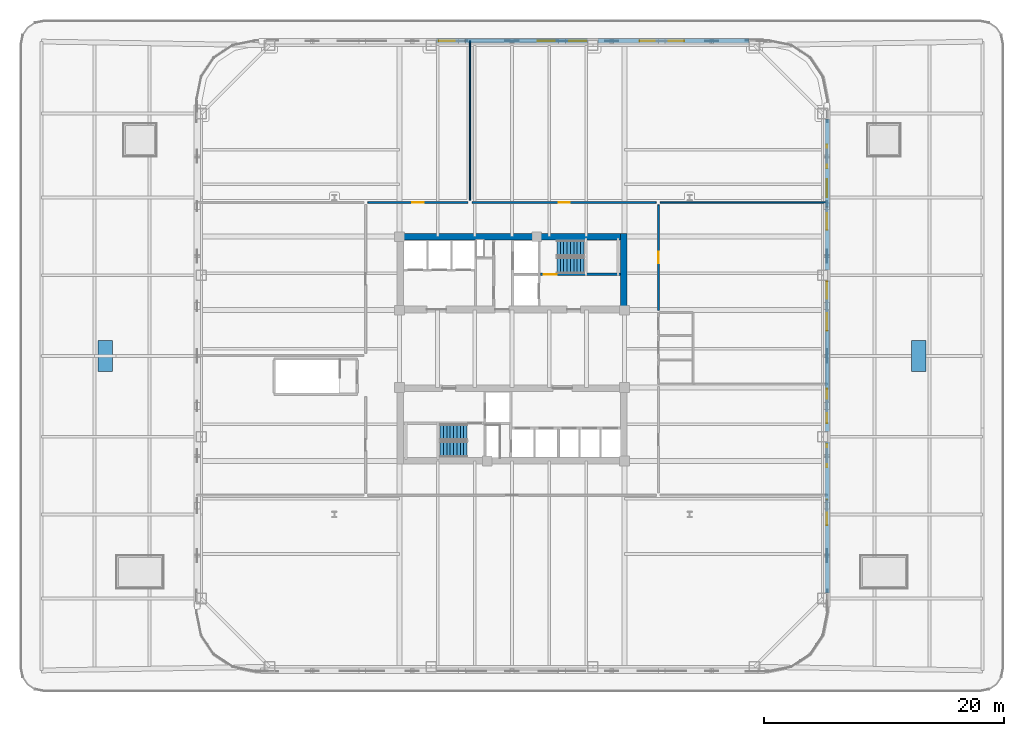
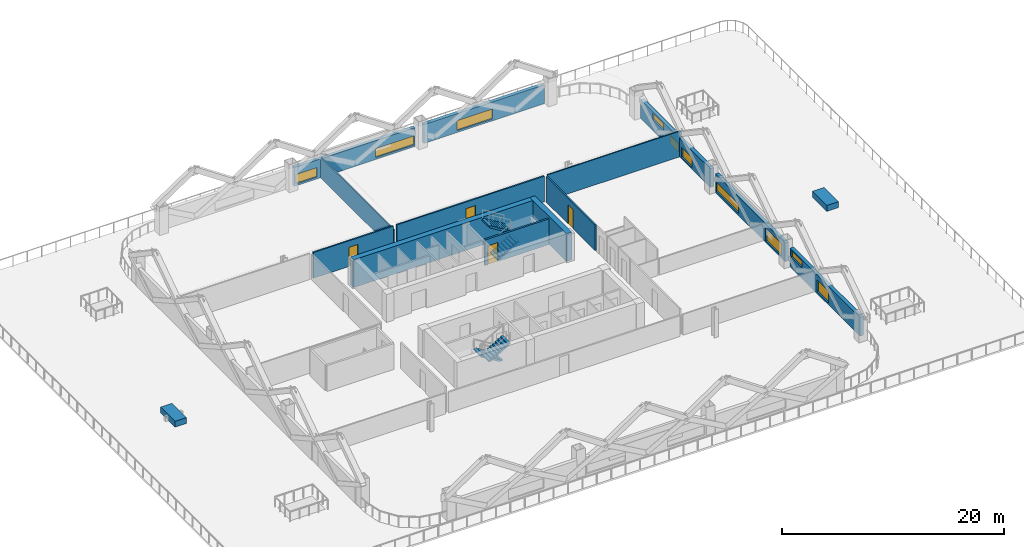
# One storey, part 9 of 17: 13 walls, 10 windows, 4 doors, 4 stair flights, 2 discrete accessories, 14 openings, 2 elements without a shape of their own.
"""IFC4 building model written with IfcOpenShell, lengths in metres."""

from ifc_helpers import new_model, si_unit, direction, frame, frame_2d, origin, origin_2d, place, context, subcontext, project, spatial, polyline, rectangle, outline, extrude, material, layer, layer_set, type_object, element, fill, aggregate, save


model = new_model("IFC4")

# Units and contexts
model_context = context("Model", 3, precision=1e-05, world=origin(), true_north=direction((0.0, 1.0)))
body_context = subcontext(model_context, "Body", "Model", "MODEL_VIEW")
ifc_project = project(units=[si_unit("LENGTHUNIT", "METRE"), si_unit("AREAUNIT", "SQUARE_METRE"), si_unit("VOLUMEUNIT", "CUBIC_METRE"), si_unit("PLANEANGLEUNIT", "RADIAN"), si_unit("MASSUNIT", "GRAM", prefix="KILO")], contexts=[model_context])

# Site, building, storey
site_placement = place(None, origin())
site = spatial("IfcSite", under=ifc_project, at=site_placement, CompositionType="ELEMENT")
building_placement = place(site_placement, origin())
building = spatial("IfcBuilding", under=site, at=building_placement, Name="Qhalaya Broadcast Tower", CompositionType="ELEMENT")
storey_placement = place(building_placement, frame((0.0, 0.0, 26.10009765625)))
storey = spatial("IfcBuildingStorey", under=building, at=storey_placement, Name="L06", CompositionType="ELEMENT", Elevation=26.10009765625)

# Wall, opening, door
ifc_material_1 = material(Name="Gypsum Acoustic Partition")
ifc_layer_1 = layer(ifc_material_1, 0.14990234375, Name="Gypsum Acoustic Partition")
ifc_layer_set_1 = layer_set([ifc_layer_1], Name="Gypsum Acoustic Partition")
wall_type_1 = type_object("IfcWallType", Name="Corridor & Tenancy Acoustic Partition 150", PredefinedType="PARTITIONING", material=ifc_layer_set_1)
wall_1_placement = place(storey_placement, frame((-12.02001953125, 12.800048828125, 0.0), z_axis=(0.0, 0.0, 1.0), x_axis=(1.0, 0.0, 0.0)))
wall_1 = element("IfcWall", 1, at=wall_1_placement, inside=storey, type_object=wall_type_1, Name="L06 Partition Wall W-COR-01", PredefinedType="PARTITIONING", context=body_context, shape_type="SweptSolid", body=[
    extrude(rectangle(XDim=8.340087890625, YDim=0.14990234375, at=frame_2d((4.169921875, 0.0))), origin(), (0.0, 0.0, 1.0), 2.829833984375),
])
opening_1_placement = place(wall_1_placement, frame((3.695068359375, 0.0, 0.0)))
opening_1 = element("IfcOpeningElement", 2, at=opening_1_placement, cuts=wall_1, Name="Opening D10", PredefinedType="OPENING", context=body_context, shape_type="SweptSolid", body=[
    extrude(rectangle(XDim=0.949951171875, YDim=2.10009765625, at=frame_2d((0.47509765625, 1.050048828125))), frame((0.0, 0.0869140625, 0.0), z_axis=(0.0, -1.0, 0.0), x_axis=(1.0, 0.0, 0.0)), (0.0, 0.0, 1.0), 0.173828125),
])
ifc_material_2 = material(Name="Timber Veneer Acoustic Door", Category="wood")
door_type_1 = type_object("IfcDoorType", Name="Cellular Office & Edit Booth Door D10", OperationType="NOTDEFINED", PredefinedType="DOOR", material=ifc_material_2)
door_1_placement = place(opening_1_placement, origin())
door_1 = element("IfcDoor", 3, at=door_1_placement, inside=storey, type_object=door_type_1, Name="L06 Door D-RM01", OperationType="SINGLE_SWING_RIGHT", OverallHeight=2.10009765625, OverallWidth=0.949951171875, PredefinedType="DOOR", context=body_context, shape_type="SweptSolid", body=[
    extrude(rectangle(XDim=0.949951171875, YDim=2.10009765625, at=frame_2d((0.47509765625, 1.050048828125))), frame((0.0, 0.02490234375, 0.0), z_axis=(0.0, -1.0, 0.0), x_axis=(1.0, 0.0, 0.0)), (0.0, 0.0, 1.0), 0.050048828125),
])
fill(opening_1, door_1)

wall_2_placement = place(storey_placement, frame((-3.320068359375, 12.800048828125, 0.0), z_axis=(0.0, 0.0, 1.0), x_axis=(1.0, 0.0, 0.0)))
wall_2 = element("IfcWall", 4, at=wall_2_placement, inside=storey, type_object=wall_type_1, Name="L06 Partition Wall W-COR-02", PredefinedType="PARTITIONING", context=body_context, shape_type="SweptSolid", body=[
    extrude(rectangle(XDim=15.340087890625, YDim=0.14990234375, at=frame_2d((7.669921875, 0.0))), origin(), (0.0, 0.0, 1.0), 2.829833984375),
])
opening_2_placement = place(wall_2_placement, frame((7.195068359375, 0.0, 0.0)))
opening_2 = element("IfcOpeningElement", 5, at=opening_2_placement, cuts=wall_2, Name="Opening D10", PredefinedType="OPENING", context=body_context, shape_type="SweptSolid", body=[
    extrude(rectangle(XDim=0.949951171875, YDim=2.10009765625, at=frame_2d((0.47509765625, 1.050048828125))), frame((0.0, 0.0869140625, 0.0), z_axis=(0.0, -1.0, 0.0), x_axis=(1.0, 0.0, 0.0)), (0.0, 0.0, 1.0), 0.173828125),
])
door_2_placement = place(opening_2_placement, origin())
door_2 = element("IfcDoor", 6, at=door_2_placement, inside=storey, type_object=door_type_1, Name="L06 Door D-RM02", OperationType="SINGLE_SWING_LEFT", OverallHeight=2.10009765625, OverallWidth=0.949951171875, PredefinedType="DOOR", context=body_context, shape_type="SweptSolid", body=[
    extrude(rectangle(XDim=0.949951171875, YDim=2.10009765625, at=frame_2d((0.47509765625, 1.050048828125))), frame((0.0, 0.02490234375, 0.0), z_axis=(0.0, -1.0, 0.0), x_axis=(1.0, 0.0, 0.0)), (0.0, 0.0, 1.0), 0.050048828125),
])
fill(opening_2, door_2)

wall_3_placement = place(storey_placement, frame((12.199951171875, 3.800048828125, 0.0), z_axis=(0.0, 0.0, 1.0), x_axis=(0.0, 1.0, 0.0)))
wall_3 = element("IfcWall", 7, at=wall_3_placement, inside=storey, type_object=wall_type_1, Name="L06 Partition Wall W-COR-07", PredefinedType="PARTITIONING", context=body_context, shape_type="SweptSolid", body=[
    extrude(rectangle(XDim=8.800048828125, YDim=0.14990234375, at=frame_2d((4.39990234375, 0.0))), origin(), (0.0, 0.0, 1.0), 2.829833984375),
])
opening_3_placement = place(wall_3_placement, frame((3.925048828125, 0.0, 0.0)))
opening_3 = element("IfcOpeningElement", 8, at=opening_3_placement, cuts=wall_3, Name="Opening D10", PredefinedType="OPENING", context=body_context, shape_type="SweptSolid", body=[
    extrude(rectangle(XDim=0.949951171875, YDim=2.10009765625, at=frame_2d((0.47509765625, 1.050048828125))), frame((0.0, 0.0869140625, 0.0), z_axis=(0.0, -1.0, 0.0), x_axis=(1.0, 0.0, 0.0)), (0.0, 0.0, 1.0), 0.173828125),
])
door_3_placement = place(opening_3_placement, origin())
door_3 = element("IfcDoor", 9, at=door_3_placement, inside=storey, type_object=door_type_1, Name="L06 Door D-RM07", OperationType="SINGLE_SWING_RIGHT", OverallHeight=2.10009765625, OverallWidth=0.949951171875, PredefinedType="DOOR", context=body_context, shape_type="SweptSolid", body=[
    extrude(rectangle(XDim=0.949951171875, YDim=2.10009765625, at=frame_2d((0.47509765625, 1.050048828125))), frame((0.0, 0.02490234375, 0.0), z_axis=(0.0, -1.0, 0.0), x_axis=(1.0, 0.0, 0.0)), (0.0, 0.0, 1.0), 0.050048828125),
])
fill(opening_3, door_3)

# Wall, openings, windows
ifc_material_3 = material(Name="Precast Concrete C40/50", Category="concrete")
ifc_layer_2 = layer(ifc_material_3, 0.360107421875, Name="Precast Concrete C40/50")
ifc_layer_set_2 = layer_set([ifc_layer_2], Name="Precast Concrete C40/50")
wall_type_2 = type_object("IfcWallType", Name="Insulated Precast Terracotta Exterior Wall 360", PredefinedType="SOLIDWALL", material=ifc_layer_set_2)
wall_4_placement = place(storey_placement, frame((26.260009765625, 19.761962890625, 0.0), z_axis=(0.0, 0.0, 1.0), x_axis=(0.0, -1.0, 0.0)))
wall_4 = element("IfcWall", 10, at=wall_4_placement, inside=storey, type_object=wall_type_2, Name="L06 Exoskeleton Diagrid Infill Wall E1", PredefinedType="SOLIDWALL", context=body_context, shape_type="SweptSolid", body=[
    extrude(rectangle(XDim=12.57861328125, YDim=0.360107421875, at=frame_2d((6.289306640625, 0.0))), origin(), (0.0, 0.0, 1.0), 2.06689453125),
])
opening_4_placement = place(wall_4_placement, frame((2.14990234375, 0.0, 1.199951171875)))
opening_4 = element("IfcOpeningElement", 11, at=opening_4_placement, cuts=wall_4, Name="Opening W11", PredefinedType="OPENING", context=body_context, shape_type="SweptSolid", body=[
    extrude(rectangle(XDim=1.949951171875, YDim=0.699951171875, at=frame_2d((0.97509765625, 0.35009765625))), frame((0.0, 0.192138671875, 0.0), z_axis=(0.0, -1.0, 0.0), x_axis=(1.0, 0.0, 0.0)), (0.0, 0.0, 1.0), 0.384033203125),
])
opening_5_placement = place(wall_4_placement, frame((5.050048828125, 0.0, 0.199951171875)))
opening_5 = element("IfcOpeningElement", 12, at=opening_5_placement, cuts=wall_4, Name="Opening W11", PredefinedType="OPENING", context=body_context, shape_type="SweptSolid", body=[
    extrude(rectangle(XDim=1.5, YDim=0.949951171875, at=frame_2d((0.75, 0.47509765625))), frame((0.0, 0.192138671875, 0.0), z_axis=(0.0, -1.0, 0.0), x_axis=(1.0, 0.0, 0.0)), (0.0, 0.0, 1.0), 0.384033203125),
])
opening_6_placement = place(wall_4_placement, frame((7.35009765625, 0.0, 0.199951171875)))
opening_6 = element("IfcOpeningElement", 13, at=opening_6_placement, cuts=wall_4, Name="Opening W11", PredefinedType="OPENING", context=body_context, shape_type="SweptSolid", body=[
    extrude(rectangle(XDim=1.89990234375, YDim=1.10009765625, at=frame_2d((0.949951171875, 0.550048828125))), frame((0.0, 0.192138671875, 0.0), z_axis=(0.0, -1.0, 0.0), x_axis=(1.0, 0.0, 0.0)), (0.0, 0.0, 1.0), 0.384033203125),
])
ifc_material_4 = material(Name="Solar-Control Low-E Triple Glazing", Category="glass")
window_type = type_object("IfcWindowType", Name="Odd-Block Diagrid Infill Window W11", PartitioningType="SINGLE_PANEL", PredefinedType="WINDOW", material=ifc_material_4)
window_1_placement = place(opening_4_placement, origin())
window_1 = element("IfcWindow", 14, at=window_1_placement, inside=storey, type_object=window_type, Name="L06 Diagrid Infill Window W11-E1", OverallHeight=0.699951171875, OverallWidth=1.949951171875, PartitioningType="SINGLE_PANEL", PredefinedType="WINDOW", context=body_context, shape_type="SweptSolid", body=[
    extrude(rectangle(XDim=1.949951171875, YDim=0.699951171875, at=frame_2d((0.97509765625, 0.35009765625))), frame((0.0, 0.030029296875, 0.0), z_axis=(0.0, -1.0, 0.0), x_axis=(1.0, 0.0, 0.0)), (0.0, 0.0, 1.0), 0.06005859375),
])
fill(opening_4, window_1)
window_2_placement = place(opening_5_placement, origin())
window_2 = element("IfcWindow", 15, at=window_2_placement, inside=storey, type_object=window_type, Name="L06 Diagrid Infill Window W11-E2", OverallHeight=0.949951171875, OverallWidth=1.5, PartitioningType="SINGLE_PANEL", PredefinedType="WINDOW", context=body_context, shape_type="SweptSolid", body=[
    extrude(rectangle(XDim=1.5, YDim=0.949951171875, at=frame_2d((0.75, 0.47509765625))), frame((0.0, 0.030029296875, 0.0), z_axis=(0.0, -1.0, 0.0), x_axis=(1.0, 0.0, 0.0)), (0.0, 0.0, 1.0), 0.06005859375),
])
fill(opening_5, window_2)
window_3_placement = place(opening_6_placement, origin())
window_3 = element("IfcWindow", 16, at=window_3_placement, inside=storey, type_object=window_type, Name="L06 Diagrid Infill Window W11-E3", OverallHeight=1.10009765625, OverallWidth=1.89990234375, PartitioningType="SINGLE_PANEL", PredefinedType="WINDOW", context=body_context, shape_type="SweptSolid", body=[
    extrude(rectangle(XDim=1.89990234375, YDim=1.10009765625, at=frame_2d((0.949951171875, 0.550048828125))), frame((0.0, 0.030029296875, 0.0), z_axis=(0.0, -1.0, 0.0), x_axis=(1.0, 0.0, 0.0)), (0.0, 0.0, 1.0), 0.06005859375),
])
fill(opening_6, window_3)

wall_5_placement = place(storey_placement, frame((26.260009765625, 6.283203125, 0.0), z_axis=(0.0, 0.0, 1.0), x_axis=(0.0, -1.0, 0.0)))
wall_5 = element("IfcWall", 17, at=wall_5_placement, inside=storey, type_object=wall_type_2, Name="L06 Exoskeleton Diagrid Infill Wall E2", PredefinedType="SOLIDWALL", context=body_context, shape_type="SweptSolid", body=[
    extrude(rectangle(XDim=12.56640625, YDim=0.360107421875, at=frame_2d((6.283203125, 0.0))), origin(), (0.0, 0.0, 1.0), 2.06689453125),
])
opening_7_placement = place(wall_5_placement, frame((0.071044921875, 0.0, 0.199951171875)))
opening_7 = element("IfcOpeningElement", 18, at=opening_7_placement, cuts=wall_5, Name="Opening W11", PredefinedType="OPENING", context=body_context, shape_type="SweptSolid", body=[
    extrude(rectangle(XDim=4.10009765625, YDim=1.050048828125, at=frame_2d((2.050048828125, 0.52490234375))), frame((0.0, 0.192138671875, 0.0), z_axis=(0.0, -1.0, 0.0), x_axis=(1.0, 0.0, 0.0)), (0.0, 0.0, 1.0), 0.384033203125),
])
opening_8_placement = place(wall_5_placement, frame((9.02099609375, 0.0, 0.199951171875)))
opening_8 = element("IfcOpeningElement", 19, at=opening_8_placement, cuts=wall_5, Name="Opening W11", PredefinedType="OPENING", context=body_context, shape_type="SweptSolid", body=[
    extrude(rectangle(XDim=2.85009765625, YDim=1.39990234375, at=frame_2d((1.425048828125, 0.699951171875))), frame((0.0, 0.192138671875, 0.0), z_axis=(0.0, -1.0, 0.0), x_axis=(1.0, 0.0, 0.0)), (0.0, 0.0, 1.0), 0.384033203125),
])
window_4_placement = place(opening_7_placement, origin())
window_4 = element("IfcWindow", 20, at=window_4_placement, inside=storey, type_object=window_type, Name="L06 Diagrid Infill Window W11-E4", OverallHeight=1.050048828125, OverallWidth=4.10009765625, PartitioningType="SINGLE_PANEL", PredefinedType="WINDOW", context=body_context, shape_type="SweptSolid", body=[
    extrude(rectangle(XDim=4.10009765625, YDim=1.050048828125, at=frame_2d((2.050048828125, 0.52490234375))), frame((0.0, 0.030029296875, 0.0), z_axis=(0.0, -1.0, 0.0), x_axis=(1.0, 0.0, 0.0)), (0.0, 0.0, 1.0), 0.06005859375),
])
fill(opening_7, window_4)
window_5_placement = place(opening_8_placement, origin())
window_5 = element("IfcWindow", 21, at=window_5_placement, inside=storey, type_object=window_type, Name="L06 Diagrid Infill Window W11-E5", OverallHeight=1.39990234375, OverallWidth=2.85009765625, PartitioningType="SINGLE_PANEL", PredefinedType="WINDOW", context=body_context, shape_type="SweptSolid", body=[
    extrude(rectangle(XDim=2.85009765625, YDim=1.39990234375, at=frame_2d((1.425048828125, 0.699951171875))), frame((0.0, 0.030029296875, 0.0), z_axis=(0.0, -1.0, 0.0), x_axis=(1.0, 0.0, 0.0)), (0.0, 0.0, 1.0), 0.06005859375),
])
fill(opening_8, window_5)

wall_6_placement = place(storey_placement, frame((26.260009765625, -7.183349609375, 0.0), z_axis=(0.0, 0.0, 1.0), x_axis=(0.0, -1.0, 0.0)))
wall_6 = element("IfcWall", 22, at=wall_6_placement, inside=storey, type_object=wall_type_2, Name="L06 Exoskeleton Diagrid Infill Wall E3", PredefinedType="SOLIDWALL", context=body_context, shape_type="SweptSolid", body=[
    extrude(rectangle(XDim=12.57861328125, YDim=0.360107421875, at=frame_2d((6.289306640625, 0.0))), origin(), (0.0, 0.0, 1.0), 2.06689453125),
])
opening_9_placement = place(wall_6_placement, frame((0.155029296875, 0.0, 1.199951171875)))
opening_9 = element("IfcOpeningElement", 23, at=opening_9_placement, cuts=wall_6, Name="Opening W11", PredefinedType="OPENING", context=body_context, shape_type="SweptSolid", body=[
    extrude(rectangle(XDim=1.949951171875, YDim=0.699951171875, at=frame_2d((0.97509765625, 0.35009765625))), frame((0.0, 0.192138671875, 0.0), z_axis=(0.0, -1.0, 0.0), x_axis=(1.0, 0.0, 0.0)), (0.0, 0.0, 1.0), 0.384033203125),
])
opening_10_placement = place(wall_6_placement, frame((4.804931640625, 0.0, 0.199951171875)))
opening_10 = element("IfcOpeningElement", 24, at=opening_10_placement, cuts=wall_6, Name="Opening W11", PredefinedType="OPENING", context=body_context, shape_type="SweptSolid", body=[
    extrude(rectangle(XDim=2.10009765625, YDim=1.300048828125, at=frame_2d((1.050048828125, 0.64990234375))), frame((0.0, 0.192138671875, 0.0), z_axis=(0.0, -1.0, 0.0), x_axis=(1.0, 0.0, 0.0)), (0.0, 0.0, 1.0), 0.384033203125),
])
window_6_placement = place(opening_9_placement, origin())
window_6 = element("IfcWindow", 25, at=window_6_placement, inside=storey, type_object=window_type, Name="L06 Diagrid Infill Window W11-E6", OverallHeight=0.699951171875, OverallWidth=1.949951171875, PartitioningType="SINGLE_PANEL", PredefinedType="WINDOW", context=body_context, shape_type="SweptSolid", body=[
    extrude(rectangle(XDim=1.949951171875, YDim=0.699951171875, at=frame_2d((0.97509765625, 0.35009765625))), frame((0.0, 0.030029296875, 0.0), z_axis=(0.0, -1.0, 0.0), x_axis=(1.0, 0.0, 0.0)), (0.0, 0.0, 1.0), 0.06005859375),
])
fill(opening_9, window_6)
window_7_placement = place(opening_10_placement, origin())
window_7 = element("IfcWindow", 26, at=window_7_placement, inside=storey, type_object=window_type, Name="L06 Diagrid Infill Window W11-E7", OverallHeight=1.300048828125, OverallWidth=2.10009765625, PartitioningType="SINGLE_PANEL", PredefinedType="WINDOW", context=body_context, shape_type="SweptSolid", body=[
    extrude(rectangle(XDim=2.10009765625, YDim=1.300048828125, at=frame_2d((1.050048828125, 0.64990234375))), frame((0.0, 0.030029296875, 0.0), z_axis=(0.0, -1.0, 0.0), x_axis=(1.0, 0.0, 0.0)), (0.0, 0.0, 1.0), 0.06005859375),
])
fill(opening_10, window_7)

wall_7_placement = place(storey_placement, frame((-6.283203125, 26.260009765625, 0.0), z_axis=(0.0, 0.0, 1.0), x_axis=(1.0, 0.0, 0.0)))
wall_7 = element("IfcWall", 27, at=wall_7_placement, inside=storey, type_object=wall_type_2, Name="L06 Exoskeleton Diagrid Infill Wall N2", PredefinedType="SOLIDWALL", context=body_context, shape_type="SweptSolid", body=[
    extrude(rectangle(XDim=12.56640625, YDim=0.360107421875, at=frame_2d((6.283203125, 0.0))), origin(), (0.0, 0.0, 1.0), 2.06689453125),
])
opening_11_placement = place(wall_7_placement, frame((0.1708984375, 0.0, 0.199951171875)))
opening_11 = element("IfcOpeningElement", 28, at=opening_11_placement, cuts=wall_7, Name="Opening W11", PredefinedType="OPENING", context=body_context, shape_type="SweptSolid", body=[
    extrude(rectangle(XDim=2.199951171875, YDim=1.050048828125, at=frame_2d((1.10009765625, 0.52490234375))), frame((0.0, 0.192138671875, 0.0), z_axis=(0.0, -1.0, 0.0), x_axis=(1.0, 0.0, 0.0)), (0.0, 0.0, 1.0), 0.384033203125),
])
opening_12_placement = place(wall_7_placement, frame((8.4208984375, 0.0, 0.199951171875)))
opening_12 = element("IfcOpeningElement", 29, at=opening_12_placement, cuts=wall_7, Name="Opening W11", PredefinedType="OPENING", context=body_context, shape_type="SweptSolid", body=[
    extrude(rectangle(XDim=4.050048828125, YDim=1.0, at=frame_2d((2.02490234375, 0.5))), frame((0.0, 0.192138671875, 0.0), z_axis=(0.0, -1.0, 0.0), x_axis=(1.0, 0.0, 0.0)), (0.0, 0.0, 1.0), 0.384033203125),
])
window_8_placement = place(opening_11_placement, origin())
window_8 = element("IfcWindow", 30, at=window_8_placement, inside=storey, type_object=window_type, Name="L06 Diagrid Infill Window W11-N2", OverallHeight=1.050048828125, OverallWidth=2.199951171875, PartitioningType="SINGLE_PANEL", PredefinedType="WINDOW", context=body_context, shape_type="SweptSolid", body=[
    extrude(rectangle(XDim=2.199951171875, YDim=1.050048828125, at=frame_2d((1.10009765625, 0.52490234375))), frame((0.0, 0.030029296875, 0.0), z_axis=(0.0, -1.0, 0.0), x_axis=(1.0, 0.0, 0.0)), (0.0, 0.0, 1.0), 0.06005859375),
])
fill(opening_11, window_8)
window_9_placement = place(opening_12_placement, origin())
window_9 = element("IfcWindow", 31, at=window_9_placement, inside=storey, type_object=window_type, Name="L06 Diagrid Infill Window W11-N3", OverallHeight=1.0, OverallWidth=4.050048828125, PartitioningType="SINGLE_PANEL", PredefinedType="WINDOW", context=body_context, shape_type="SweptSolid", body=[
    extrude(rectangle(XDim=4.050048828125, YDim=1.0, at=frame_2d((2.02490234375, 0.5))), frame((0.0, 0.030029296875, 0.0), z_axis=(0.0, -1.0, 0.0), x_axis=(1.0, 0.0, 0.0)), (0.0, 0.0, 1.0), 0.06005859375),
])
fill(opening_12, window_9)

# Wall, opening, window
wall_8_placement = place(storey_placement, frame((7.183349609375, 26.260009765625, 0.0), z_axis=(0.0, 0.0, 1.0), x_axis=(1.0, 0.0, 0.0)))
wall_8 = element("IfcWall", 32, at=wall_8_placement, inside=storey, type_object=wall_type_2, Name="L06 Exoskeleton Diagrid Infill Wall N3", PredefinedType="SOLIDWALL", context=body_context, shape_type="SweptSolid", body=[
    extrude(rectangle(XDim=12.57861328125, YDim=0.360107421875, at=frame_2d((6.289306640625, 0.0))), origin(), (0.0, 0.0, 1.0), 2.06689453125),
])
opening_13_placement = place(wall_8_placement, frame((3.455078125, 0.0, 0.199951171875)))
opening_13 = element("IfcOpeningElement", 33, at=opening_13_placement, cuts=wall_8, Name="Opening W11", PredefinedType="OPENING", context=body_context, shape_type="SweptSolid", body=[
    extrude(rectangle(XDim=3.699951171875, YDim=1.10009765625, at=frame_2d((1.85009765625, 0.550048828125))), frame((0.0, 0.192138671875, 0.0), z_axis=(0.0, -1.0, 0.0), x_axis=(1.0, 0.0, 0.0)), (0.0, 0.0, 1.0), 0.384033203125),
])
window_10_placement = place(opening_13_placement, origin())
window_10 = element("IfcWindow", 34, at=window_10_placement, inside=storey, type_object=window_type, Name="L06 Diagrid Infill Window W11-N4", OverallHeight=1.10009765625, OverallWidth=3.699951171875, PartitioningType="SINGLE_PANEL", PredefinedType="WINDOW", context=body_context, shape_type="SweptSolid", body=[
    extrude(rectangle(XDim=3.699951171875, YDim=1.10009765625, at=frame_2d((1.85009765625, 0.550048828125))), frame((0.0, 0.030029296875, 0.0), z_axis=(0.0, -1.0, 0.0), x_axis=(1.0, 0.0, 0.0)), (0.0, 0.0, 1.0), 0.06005859375),
])
fill(opening_13, window_10)

# Wall, opening, door
ifc_material_5 = material(Name="Concrete C50/60", Category="concrete")
ifc_layer_3 = layer(ifc_material_5, 0.199951171875, Name="Concrete C50/60")
ifc_layer_set_3 = layer_set([ifc_layer_3], Name="Concrete C50/60")
wall_type_3 = type_object("IfcWallType", Name="Load-Bearing Stair Shaft Wall 200", PredefinedType="SHEAR", material=ifc_layer_set_3)
wall_9_placement = place(storey_placement, frame((2.360107421875, 6.804931640625, 0.0), z_axis=(0.0, 0.0, 1.0), x_axis=(1.0, 0.0, 0.0)))
wall_9 = element("IfcWall", 35, at=wall_9_placement, inside=storey, type_object=wall_type_3, Name="L06 Stair Core Shear Wall NCW-ST1", PredefinedType="SHEAR", context=body_context, shape_type="SweptSolid", body=[
    extrude(rectangle(XDim=6.669921875, YDim=0.199951171875, at=frame_2d((3.3349609375, 0.0))), origin(), (0.0, 0.0, 1.0), 2.829833984375),
])
opening_14_placement = place(wall_9_placement, frame((0.300048828125, 0.0, 0.0)))
opening_14 = element("IfcOpeningElement", 36, at=opening_14_placement, cuts=wall_9, Name="Opening D03", PredefinedType="OPENING", context=body_context, shape_type="SweptSolid", body=[
    extrude(rectangle(XDim=1.050048828125, YDim=2.080078125, at=frame_2d((0.52490234375, 1.0400390625))), frame((0.0, 0.112060546875, 0.0), z_axis=(0.0, -1.0, 0.0), x_axis=(1.0, 0.0, 0.0)), (0.0, 0.0, 1.0), 0.223876953125),
])
ifc_material_6 = material(Name="Fire-Rated Steel Door", Category="steel")
door_type_2 = type_object("IfcDoorType", Name="Core Stair Protected Fire Door D03", OperationType="NOTDEFINED", PredefinedType="DOOR", material=ifc_material_6)
door_4_placement = place(opening_14_placement, origin())
door_4 = element("IfcDoor", 37, at=door_4_placement, inside=storey, type_object=door_type_2, Name="L06 Door D-NST1", OperationType="SINGLE_SWING_LEFT", OverallHeight=2.080078125, OverallWidth=1.050048828125, PredefinedType="DOOR", context=body_context, shape_type="SweptSolid", body=[
    extrude(rectangle(XDim=1.050048828125, YDim=2.080078125, at=frame_2d((0.52490234375, 1.0400390625))), frame((0.0, 0.02490234375, 0.0), z_axis=(0.0, -1.0, 0.0), x_axis=(1.0, 0.0, 0.0)), (0.0, 0.0, 1.0), 0.050048828125),
])
fill(opening_14, door_4)

# Walls
ifc_material_7 = material(Name="Concrete C60/75", Category="concrete")
ifc_layer_4 = layer(ifc_material_7, 0.550048828125, Name="Concrete C60/75")
ifc_layer_set_4 = layer_set([ifc_layer_4], Name="Concrete C60/75")
wall_type_4 = type_object("IfcWallType", Name="Lower Split-Core Shear Wall 550", PredefinedType="SHEAR", material=ifc_layer_set_4)
wall_10_placement = place(storey_placement, frame((-9.60009765625, 9.925048828125, 0.0), z_axis=(0.0, 0.0, 1.0), x_axis=(1.0, 0.0, 0.0)))
element("IfcWall", 38, at=wall_10_placement, inside=storey, type_object=wall_type_4, Name="L06 Split-Core Shear Wall CW-NN", PredefinedType="SHEAR", context=body_context, shape_type="SweptSolid", body=[
    extrude(rectangle(XDim=19.2001953125, YDim=0.550048828125, at=frame_2d((9.60009765625, 0.0))), origin(), (0.0, 0.0, 1.0), 3.0498046875),
])
wall_11_placement = place(storey_placement, frame((9.324951171875, 3.60009765625, 0.0), z_axis=(0.0, 0.0, 1.0), x_axis=(0.0, 1.0, 0.0)))
element("IfcWall", 39, at=wall_11_placement, inside=storey, type_object=wall_type_4, Name="L06 Split-Core Shear Wall CW-NE", PredefinedType="SHEAR", context=body_context, shape_type="SweptSolid", body=[
    extrude(rectangle(XDim=6.599853515625, YDim=0.550048828125, at=frame_2d((3.2998046875, 0.0))), origin(), (0.0, 0.0, 1.0), 3.0498046875),
])
ifc_layer_5 = layer(ifc_material_1, 0.1201171875, Name="Gypsum Acoustic Partition")
ifc_layer_set_5 = layer_set([ifc_layer_5], Name="Gypsum Acoustic Partition")
wall_type_5 = type_object("IfcWallType", Name="Office, Booth & Sanitary Partition 120", PredefinedType="PARTITIONING", material=ifc_layer_set_5)
wall_12_placement = place(storey_placement, frame((12.340087890625, 12.800048828125, 0.0), z_axis=(0.0, 0.0, 1.0), x_axis=(1.0, 0.0, 0.0)))
element("IfcWall", 40, at=wall_12_placement, inside=storey, type_object=wall_type_5, Name="L06 Partition Wall W-BNDE1", PredefinedType="PARTITIONING", context=body_context, shape_type="SweptSolid", body=[
    extrude(rectangle(XDim=13.93994140625, YDim=0.1201171875, at=frame_2d((6.969970703125, 0.0))), origin(), (0.0, 0.0, 1.0), 2.829833984375),
])
wall_13_placement = place(storey_placement, frame((-3.5, 12.9599609375, 0.0), z_axis=(0.0, 0.0, 1.0), x_axis=(0.0, 1.0, 0.0)))
element("IfcWall", 41, at=wall_13_placement, inside=storey, type_object=wall_type_5, Name="L06 Partition Wall W-DIVN1", PredefinedType="PARTITIONING", context=body_context, shape_type="SweptSolid", body=[
    extrude(rectangle(XDim=13.320068359375, YDim=0.1201171875, at=frame_2d((6.66015625, 0.0))), origin(), (0.0, 0.0, 1.0), 2.27392578125),
])

# Stair, stair flights
ifc_material_8 = material(Name="Concrete C40/50", Category="concrete")
stair_type = type_object("IfcStairType", Name="Protected Dogleg Core Stair 3150", PredefinedType="TWO_STRAIGHT_RUN_STAIR", material=ifc_material_8)
stair_1_placement = place(storey_placement, origin())
stair_1 = element("IfcStair", 42, at=stair_1_placement, inside=storey, type_object=stair_type, Name="L06 North Core Exit Stair ST-1", PredefinedType="TWO_STRAIGHT_RUN_STAIR")
stair_flight_type = type_object("IfcStairFlightType", Name="Precast Concrete Stair Flight 3150", PredefinedType="STRAIGHT", material=ifc_material_3)
stair_flight_1_placement = place(storey_placement, frame((3.75, 7.5400390625, 0.0), z_axis=(0.0, 0.0, 1.0), x_axis=(1.0, 0.0, 0.0)))
stair_flight_1 = element("IfcStairFlight", 43, at=stair_flight_1_placement, type_object=stair_flight_type, Name="ST-1 flight 1", NumberOfRisers=9, NumberOfTreads=8, PredefinedType="STRAIGHT", RiserHeight=0.169444444, TreadLength=0.28, context=body_context, shape_type="SweptSolid", body=[
    extrude(outline(polyline([(0.0, 0.0), (0.0, 0.16943359375), (0.280029296875, 0.16943359375), (0.280029296875, 0.3388671875), (0.56005859375, 0.3388671875), (0.56005859375, 0.50830078125), (0.840087890625, 0.50830078125), (0.840087890625, 0.677734375), (1.1201171875, 0.677734375), (1.1201171875, 0.84716796875), (1.39990234375, 0.84716796875), (1.39990234375, 1.0166015625), (1.679931640625, 1.0166015625), (1.679931640625, 1.18603515625), (1.9599609375, 1.18603515625), (1.9599609375, 1.35546875), (2.239990234375, 1.35546875), (2.239990234375, 1.52490234375), (2.239990234375, 1.180419921875), (0.28955078125, 0.0), (0.0, 0.0)])), frame((0.0, 0.66015625, 0.0), z_axis=(0.0, -1.0, 0.0), x_axis=(1.0, 0.0, 0.0)), (0.0, 0.0, 1.0), 1.320068359375),
])
stair_flight_2_placement = place(storey_placement, frame((5.989990234375, 8.97998046875, 1.52490234375), z_axis=(0.0, 0.0, 1.0), x_axis=(-1.0, 0.0, 0.0)))
stair_flight_2 = element("IfcStairFlight", 44, at=stair_flight_2_placement, type_object=stair_flight_type, Name="ST-1 flight 2", NumberOfRisers=9, NumberOfTreads=8, PredefinedType="STRAIGHT", RiserHeight=0.169444444, TreadLength=0.28, context=body_context, shape_type="SweptSolid", body=[
    extrude(outline(polyline([(0.0, 0.0), (0.0, 0.16943359375), (0.280029296875, 0.16943359375), (0.280029296875, 0.3388671875), (0.56005859375, 0.3388671875), (0.56005859375, 0.50830078125), (0.840087890625, 0.50830078125), (0.840087890625, 0.677734375), (1.1201171875, 0.677734375), (1.1201171875, 0.84716796875), (1.39990234375, 0.84716796875), (1.39990234375, 1.0166015625), (1.679931640625, 1.0166015625), (1.679931640625, 1.18603515625), (1.9599609375, 1.18603515625), (1.9599609375, 1.35546875), (2.239990234375, 1.35546875), (2.239990234375, 1.52490234375), (2.239990234375, 1.180419921875), (0.28955078125, 0.0), (0.0, 0.0)])), frame((0.0, 0.66015625, 0.0), z_axis=(0.0, -1.0, 0.0), x_axis=(1.0, 0.0, 0.0)), (0.0, 0.0, 1.0), 1.320068359375),
])
aggregate(stair_1, [stair_flight_1, stair_flight_2])

stair_2_placement = place(storey_placement, origin())
stair_2 = element("IfcStair", 45, at=stair_2_placement, inside=storey, type_object=stair_type, Name="L06 South Core Exit Stair ST-2", PredefinedType="TWO_STRAIGHT_RUN_STAIR")
stair_flight_3_placement = place(storey_placement, frame((-3.75, -6.340087890625, 0.0), z_axis=(0.0, 0.0, 1.0), x_axis=(-1.0, 0.0, 0.0)))
stair_flight_3 = element("IfcStairFlight", 46, at=stair_flight_3_placement, type_object=stair_flight_type, Name="ST-2 flight 1", NumberOfRisers=9, NumberOfTreads=8, PredefinedType="STRAIGHT", RiserHeight=0.169444444, TreadLength=0.28, context=body_context, shape_type="SweptSolid", body=[
    extrude(outline(polyline([(0.0, 0.0), (0.0, 0.16943359375), (0.280029296875, 0.16943359375), (0.280029296875, 0.3388671875), (0.56005859375, 0.3388671875), (0.56005859375, 0.50830078125), (0.840087890625, 0.50830078125), (0.840087890625, 0.677734375), (1.1201171875, 0.677734375), (1.1201171875, 0.84716796875), (1.39990234375, 0.84716796875), (1.39990234375, 1.0166015625), (1.679931640625, 1.0166015625), (1.679931640625, 1.18603515625), (1.9599609375, 1.18603515625), (1.9599609375, 1.35546875), (2.239990234375, 1.35546875), (2.239990234375, 1.52490234375), (2.239990234375, 1.180419921875), (0.28955078125, 0.0), (0.0, 0.0)])), frame((0.0, 0.66015625, 0.0), z_axis=(0.0, -1.0, 0.0), x_axis=(1.0, 0.0, 0.0)), (0.0, 0.0, 1.0), 1.320068359375),
])
stair_flight_4_placement = place(storey_placement, frame((-5.989990234375, -7.780029296875, 1.52490234375), z_axis=(0.0, 0.0, 1.0), x_axis=(1.0, 0.0, 0.0)))
stair_flight_4 = element("IfcStairFlight", 47, at=stair_flight_4_placement, type_object=stair_flight_type, Name="ST-2 flight 2", NumberOfRisers=9, NumberOfTreads=8, PredefinedType="STRAIGHT", RiserHeight=0.169444444, TreadLength=0.28, context=body_context, shape_type="SweptSolid", body=[
    extrude(outline(polyline([(0.0, 0.0), (0.0, 0.16943359375), (0.280029296875, 0.16943359375), (0.280029296875, 0.3388671875), (0.56005859375, 0.3388671875), (0.56005859375, 0.50830078125), (0.840087890625, 0.50830078125), (0.840087890625, 0.677734375), (1.1201171875, 0.677734375), (1.1201171875, 0.84716796875), (1.39990234375, 0.84716796875), (1.39990234375, 1.0166015625), (1.679931640625, 1.0166015625), (1.679931640625, 1.18603515625), (1.9599609375, 1.18603515625), (1.9599609375, 1.35546875), (2.239990234375, 1.35546875), (2.239990234375, 1.52490234375), (2.239990234375, 1.180419921875), (0.28955078125, 0.0), (0.0, 0.0)])), frame((0.0, 0.66015625, 0.0), z_axis=(0.0, -1.0, 0.0), x_axis=(1.0, 0.0, 0.0)), (0.0, 0.0, 1.0), 1.320068359375),
])
aggregate(stair_2, [stair_flight_3, stair_flight_4])

# Discrete accessories
ifc_material_9 = material(Name="Fired Architectural Terracotta", Category="masonry")
discrete_accessory_type = type_object("IfcDiscreteAccessoryType", Name="Terracotta Sky-Garden Planter Box PLN-01", PredefinedType="USERDEFINED", material=ifc_material_9)
for number, where, z_axis, x_axis, name in (
    (48, (-33.89990234375, 0.0, 0.0), (0.0, 0.0, 1.0), (1.0, 0.0, 0.0), "L06 Sky Garden Planter PLN-11"),
    (49, (33.89990234375, 0.0, 0.0), (0.0, 0.0, 1.0), (1.0, 0.0, 0.0), "L06 Sky Garden Planter PLN-12"),
):
    element("IfcDiscreteAccessory", number, at=place(storey_placement, frame(where, z_axis=z_axis, x_axis=x_axis)), inside=storey, type_object=discrete_accessory_type, Name=name, ObjectType="PLANTER", PredefinedType="USERDEFINED", context=body_context, shape_type="SweptSolid", body=[
        extrude(rectangle(XDim=1.199951171875, YDim=2.60009765625, at=origin_2d()), origin(), (0.0, 0.0, 1.0), 0.64990234375),
    ])

save(model, "model.ifc")
